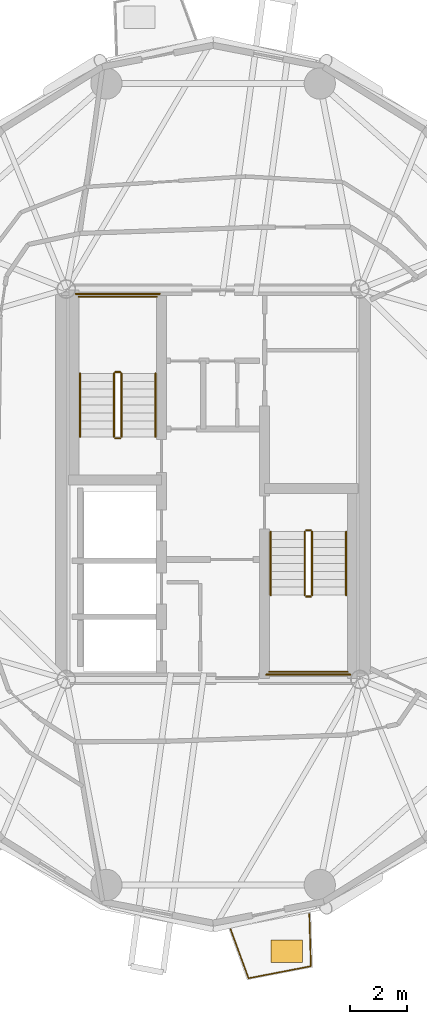
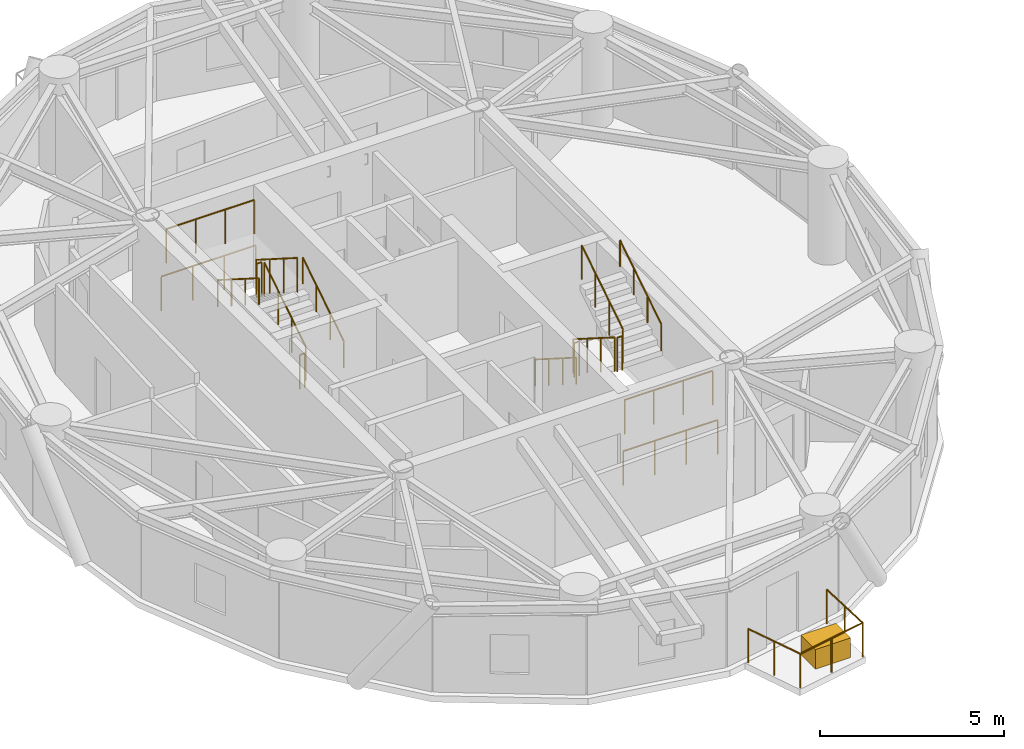
# One storey, part 15 of 17: 17 railings, 1 covering.
"""IFC4 building model written with IfcOpenShell, lengths in metres."""

from ifc_helpers import new_model, si_unit, direction, frame, origin, origin_2d, place, context, subcontext, project, spatial, rectangle, circle, extrude, source, transform, mapped, material, layer, layer_set, type_object, element, save


model = new_model("IFC4")

# Units and contexts
model_context = context("Model", 3, precision=1e-05, world=origin(), true_north=direction((0.0, 1.0)))
body_context = subcontext(model_context, "Body", "Model", "MODEL_VIEW")
ifc_project = project(units=[si_unit("LENGTHUNIT", "METRE"), si_unit("AREAUNIT", "SQUARE_METRE"), si_unit("VOLUMEUNIT", "CUBIC_METRE"), si_unit("PLANEANGLEUNIT", "RADIAN"), si_unit("MASSUNIT", "GRAM", prefix="KILO")], contexts=[model_context])

# Site, building, storey
site_placement = place(None, origin())
site = spatial("IfcSite", under=ifc_project, at=site_placement, CompositionType="ELEMENT")
building_placement = place(site_placement, origin())
building = spatial("IfcBuilding", under=site, at=building_placement, Name="Cununo Teusaquillo Station Towers", CompositionType="ELEMENT")
storey_placement = place(building_placement, frame((0.0, 0.0, 222.85009765625)))
storey = spatial("IfcBuildingStorey", under=building, at=storey_placement, Name="L71", CompositionType="ELEMENT", Elevation=222.85009765625)

# Railings
ifc_material_1 = material(Name="Anodised dark bronze aluminium EN AW-6063-T6", Category="aluminium")
railing_type_1 = type_object("IfcRailingType", Name="RL-EXT-GUARD", PredefinedType="GUARDRAIL", material=ifc_material_1)
railing_1_placement = place(storey_placement, frame((19.892578125, 9.356201171875, 0.0)))
element("IfcRailing", 1, at=railing_1_placement, inside=storey, type_object=railing_type_1, Name="L71 Tower A Balcony Guardrail C15", PredefinedType="GUARDRAIL", context=body_context, shape_type="SweptSolid", body=[
    extrude(circle(Radius=0.02392578125, at=origin_2d()), frame((0.0, 0.0, 1.1259765625), z_axis=(0.030305152758, -0.999540693377, 0.0), x_axis=(0.999540693377, 0.030305152758, 0.0)), (0.0, 0.0, 1.0), 1.8447265625),
    extrude(circle(Radius=0.02392578125, at=origin_2d()), frame((0.055908203125, -1.843994140625, 1.1259765625), z_axis=(-0.981834932982, -0.18973709278, 0.0), x_axis=(0.18973709278, -0.981834932982, 0.0)), (0.0, 0.0, 1.0), 2.239013671875),
    extrude(circle(Radius=0.02392578125, at=origin_2d()), frame((-2.142333984375, -2.268798828125, 1.1259765625), z_axis=(-0.344196323776, 0.938897699805, 0.0), x_axis=(-0.938897699805, -0.344196323776, 0.0)), (0.0, 0.0, 1.0), 1.844970703125),
    extrude(circle(Radius=0.02099609375, at=origin_2d()), origin(), (0.0, 0.0, 1.0), 1.101806640625),
    extrude(circle(Radius=0.02099609375, at=origin_2d()), frame((0.02783203125, -0.921875, 0.0)), (0.0, 0.0, 1.0), 1.101806640625),
    extrude(circle(Radius=0.02099609375, at=origin_2d()), frame((0.055908203125, -1.843994140625, 0.0)), (0.0, 0.0, 1.0), 1.101806640625),
    extrude(circle(Radius=0.02099609375, at=origin_2d()), frame((-1.043212890625, -2.056396484375, 0.0)), (0.0, 0.0, 1.0), 1.101806640625),
    extrude(circle(Radius=0.02099609375, at=origin_2d()), frame((-2.142333984375, -2.268798828125, 0.0)), (0.0, 0.0, 1.0), 1.101806640625),
    extrude(circle(Radius=0.02099609375, at=origin_2d()), frame((-2.4599609375, -1.40283203125, 0.0)), (0.0, 0.0, 1.0), 1.101806640625),
    extrude(circle(Radius=0.02099609375, at=origin_2d()), frame((-2.77734375, -0.53662109375, 0.0)), (0.0, 0.0, 1.0), 1.101806640625),
])
ifc_material_2 = material(Name="Steel EN 10025-2 S355J2", Category="steel")
railing_type_2 = type_object("IfcRailingType", Name="RL-INT-GUARD", PredefinedType="GUARDRAIL", material=ifc_material_2)
railing_2_placement = place(storey_placement, frame((13.27001953125, 26.169921875, 0.177734375)))
element("IfcRailing", 2, at=railing_2_placement, inside=storey, type_object=railing_type_2, Name="L71 ST-T1-1 stair guard 1", PredefinedType="GUARDRAIL", context=body_context, shape_type="SweptSolid", body=[
    extrude(circle(Radius=0.02392578125, at=origin_2d()), frame((0.0, 0.0, 1.1259765625), z_axis=(0.0, 0.8442293374, 0.53598211339), x_axis=(-1.0, 0.0, 0.0)), (0.0, 0.0, 1.0), 2.6533203125),
    extrude(circle(Radius=0.02099609375, at=origin_2d()), origin(), (0.0, 0.0, 1.0), 1.101806640625),
    extrude(circle(Radius=0.02099609375, at=origin_2d()), frame((0.0, 0.74658203125, 0.47412109375)), (0.0, 0.0, 1.0), 1.101806640625),
    extrude(circle(Radius=0.02099609375, at=origin_2d()), frame((0.0, 1.493408203125, 0.947998046875)), (0.0, 0.0, 1.0), 1.101806640625),
    extrude(circle(Radius=0.02099609375, at=origin_2d()), frame((0.0, 2.239990234375, 1.422119140625)), (0.0, 0.0, 1.0), 1.101806640625),
])
railing_3_placement = place(storey_placement, frame((13.219970703125, 28.4599609375, 1.599853515625)))
element("IfcRailing", 3, at=railing_3_placement, inside=storey, type_object=railing_type_2, Name="L71 ST-T1-1 stair guard 2", PredefinedType="GUARDRAIL", context=body_context, shape_type="SweptSolid", body=[
    extrude(circle(Radius=0.02392578125, at=origin_2d()), frame((0.0, 0.0, 1.1259765625), z_axis=(-1.0, 0.0, 0.0), x_axis=(0.0, -1.0, 0.0)), (0.0, 0.0, 1.0), 0.159912109375),
    extrude(circle(Radius=0.02099609375, at=origin_2d()), origin(), (0.0, 0.0, 1.0), 1.101806640625),
    extrude(circle(Radius=0.02099609375, at=origin_2d()), frame((-0.159912109375, 0.0, 0.0)), (0.0, 0.0, 1.0), 1.101806640625),
])
railing_4_placement = place(storey_placement, frame((14.52001953125, 31.110107421875, 1.599853515625)))
element("IfcRailing", 4, at=railing_4_placement, inside=storey, type_object=railing_type_2, Name="L71 ST-T1-1 stair guard 3", PredefinedType="GUARDRAIL", context=body_context, shape_type="SweptSolid", body=[
    extrude(circle(Radius=0.02392578125, at=origin_2d()), frame((0.0, 0.0, 1.1259765625), z_axis=(-1.0, 0.0, 0.0), x_axis=(0.0, -1.0, 0.0)), (0.0, 0.0, 1.0), 2.760009765625),
    extrude(circle(Radius=0.02099609375, at=origin_2d()), origin(), (0.0, 0.0, 1.0), 1.101806640625),
    extrude(circle(Radius=0.02099609375, at=origin_2d()), frame((-0.919921875, 0.0, 0.0)), (0.0, 0.0, 1.0), 1.101806640625),
    extrude(circle(Radius=0.02099609375, at=origin_2d()), frame((-1.840087890625, 0.0, 0.0)), (0.0, 0.0, 1.0), 1.101806640625),
    extrude(circle(Radius=0.02099609375, at=origin_2d()), frame((-2.760009765625, 0.0, 0.0)), (0.0, 0.0, 1.0), 1.101806640625),
])
railing_5_placement = place(storey_placement, frame((13.010009765625, 28.409912109375, 1.777587890625)))
element("IfcRailing", 5, at=railing_5_placement, inside=storey, type_object=railing_type_2, Name="L71 ST-T1-1 stair guard 4", PredefinedType="GUARDRAIL", context=body_context, shape_type="SweptSolid", body=[
    extrude(circle(Radius=0.02392578125, at=origin_2d()), frame((0.0, 0.0, 1.1259765625), z_axis=(0.0, -0.84418770128, 0.536047689118), x_axis=(1.0, 0.0, 0.0)), (0.0, 0.0, 1.0), 2.6533203125),
    extrude(circle(Radius=0.02099609375, at=origin_2d()), origin(), (0.0, 0.0, 1.0), 1.101806640625),
    extrude(circle(Radius=0.02099609375, at=origin_2d()), frame((0.0, -0.74658203125, 0.47412109375)), (0.0, 0.0, 1.0), 1.101806640625),
    extrude(circle(Radius=0.02099609375, at=origin_2d()), frame((0.0, -1.493408203125, 0.9482421875)), (0.0, 0.0, 1.0), 1.101806640625),
    extrude(circle(Radius=0.02099609375, at=origin_2d()), frame((0.0, -2.239990234375, 1.42236328125)), (0.0, 0.0, 1.0), 1.101806640625),
])
railing_6_placement = place(storey_placement, frame((13.219970703125, 26.1201171875, 0.0)))
element("IfcRailing", 6, at=railing_6_placement, inside=storey, type_object=railing_type_2, Name="L71 ST-T1-1 stair guard 5", PredefinedType="GUARDRAIL", context=body_context, shape_type="SweptSolid", body=[
    extrude(circle(Radius=0.02392578125, at=origin_2d()), frame((0.0, 0.0, 1.1259765625), z_axis=(-1.0, 0.0, 0.0), x_axis=(0.0, -1.0, 0.0)), (0.0, 0.0, 1.0), 0.159912109375),
    extrude(circle(Radius=0.02099609375, at=origin_2d()), origin(), (0.0, 0.0, 1.0), 1.101806640625),
    extrude(circle(Radius=0.02099609375, at=origin_2d()), frame((-0.159912109375, 0.0, 0.0)), (0.0, 0.0, 1.0), 1.101806640625),
])
railing_7_placement = place(storey_placement, frame((14.6201171875, 31.2099609375, 0.0)))
element("IfcRailing", 7, at=railing_7_placement, inside=storey, type_object=railing_type_2, Name="L71 ST-T1-1 stair guard 6", PredefinedType="GUARDRAIL", context=body_context, shape_type="SweptSolid", body=[
    extrude(circle(Radius=0.02392578125, at=origin_2d()), frame((0.0, 0.0, 1.1259765625), z_axis=(-1.0, 0.0, 0.0), x_axis=(0.0, -1.0, 0.0)), (0.0, 0.0, 1.0), 2.960205078125),
    extrude(circle(Radius=0.02099609375, at=origin_2d()), origin(), (0.0, 0.0, 1.0), 1.101806640625),
    extrude(circle(Radius=0.02099609375, at=origin_2d()), frame((-0.98681640625, 0.0, 0.0)), (0.0, 0.0, 1.0), 1.101806640625),
    extrude(circle(Radius=0.02099609375, at=origin_2d()), frame((-1.973388671875, 0.0, 0.0)), (0.0, 0.0, 1.0), 1.101806640625),
    extrude(circle(Radius=0.02099609375, at=origin_2d()), frame((-2.960205078125, 0.0, 0.0)), (0.0, 0.0, 1.0), 1.101806640625),
])
railing_8_placement = place(storey_placement, frame((19.72998046875, 22.830078125, 0.177734375)))
element("IfcRailing", 8, at=railing_8_placement, inside=storey, type_object=railing_type_2, Name="L71 ST-T1-2 stair guard 1", PredefinedType="GUARDRAIL", context=body_context, shape_type="SweptSolid", body=[
    extrude(circle(Radius=0.02392578125, at=origin_2d()), frame((0.0, 0.0, 1.1259765625), z_axis=(0.0, -0.8442293374, 0.53598211339), x_axis=(1.0, 0.0, 0.0)), (0.0, 0.0, 1.0), 2.6533203125),
    extrude(circle(Radius=0.02099609375, at=origin_2d()), origin(), (0.0, 0.0, 1.0), 1.101806640625),
    extrude(circle(Radius=0.02099609375, at=origin_2d()), frame((0.0, -0.74658203125, 0.47412109375)), (0.0, 0.0, 1.0), 1.101806640625),
    extrude(circle(Radius=0.02099609375, at=origin_2d()), frame((0.0, -1.493408203125, 0.947998046875)), (0.0, 0.0, 1.0), 1.101806640625),
    extrude(circle(Radius=0.02099609375, at=origin_2d()), frame((0.0, -2.239990234375, 1.422119140625)), (0.0, 0.0, 1.0), 1.101806640625),
])
railing_9_placement = place(storey_placement, frame((19.780029296875, 20.5400390625, 1.599853515625)))
element("IfcRailing", 9, at=railing_9_placement, inside=storey, type_object=railing_type_2, Name="L71 ST-T1-2 stair guard 2", PredefinedType="GUARDRAIL", context=body_context, shape_type="SweptSolid", body=[
    extrude(circle(Radius=0.02392578125, at=origin_2d()), frame((0.0, 0.0, 1.1259765625), z_axis=(1.0, 0.0, 0.0), x_axis=(0.0, 1.0, 0.0)), (0.0, 0.0, 1.0), 0.159912109375),
    extrude(circle(Radius=0.02099609375, at=origin_2d()), origin(), (0.0, 0.0, 1.0), 1.101806640625),
    extrude(circle(Radius=0.02099609375, at=origin_2d()), frame((0.159912109375, 0.0, 0.0)), (0.0, 0.0, 1.0), 1.101806640625),
])
railing_10_placement = place(storey_placement, frame((18.47998046875, 17.889892578125, 1.599853515625)))
element("IfcRailing", 10, at=railing_10_placement, inside=storey, type_object=railing_type_2, Name="L71 ST-T1-2 stair guard 3", PredefinedType="GUARDRAIL", context=body_context, shape_type="SweptSolid", body=[
    extrude(circle(Radius=0.02392578125, at=origin_2d()), frame((0.0, 0.0, 1.1259765625), z_axis=(1.0, 0.0, 0.0), x_axis=(0.0, 1.0, 0.0)), (0.0, 0.0, 1.0), 2.760009765625),
    extrude(circle(Radius=0.02099609375, at=origin_2d()), origin(), (0.0, 0.0, 1.0), 1.101806640625),
    extrude(circle(Radius=0.02099609375, at=origin_2d()), frame((0.919921875, 0.0, 0.0)), (0.0, 0.0, 1.0), 1.101806640625),
    extrude(circle(Radius=0.02099609375, at=origin_2d()), frame((1.840087890625, 0.0, 0.0)), (0.0, 0.0, 1.0), 1.101806640625),
    extrude(circle(Radius=0.02099609375, at=origin_2d()), frame((2.760009765625, 0.0, 0.0)), (0.0, 0.0, 1.0), 1.101806640625),
])
railing_11_placement = place(storey_placement, frame((19.989990234375, 20.590087890625, 1.777587890625)))
element("IfcRailing", 11, at=railing_11_placement, inside=storey, type_object=railing_type_2, Name="L71 ST-T1-2 stair guard 4", PredefinedType="GUARDRAIL", context=body_context, shape_type="SweptSolid", body=[
    extrude(circle(Radius=0.02392578125, at=origin_2d()), frame((0.0, 0.0, 1.1259765625), z_axis=(0.0, 0.84418770128, 0.536047689118), x_axis=(-1.0, 0.0, 0.0)), (0.0, 0.0, 1.0), 2.6533203125),
    extrude(circle(Radius=0.02099609375, at=origin_2d()), origin(), (0.0, 0.0, 1.0), 1.101806640625),
    extrude(circle(Radius=0.02099609375, at=origin_2d()), frame((0.0, 0.74658203125, 0.47412109375)), (0.0, 0.0, 1.0), 1.101806640625),
    extrude(circle(Radius=0.02099609375, at=origin_2d()), frame((0.0, 1.493408203125, 0.9482421875)), (0.0, 0.0, 1.0), 1.101806640625),
    extrude(circle(Radius=0.02099609375, at=origin_2d()), frame((0.0, 2.239990234375, 1.42236328125)), (0.0, 0.0, 1.0), 1.101806640625),
])
railing_12_placement = place(storey_placement, frame((19.780029296875, 22.8798828125, 0.0)))
element("IfcRailing", 12, at=railing_12_placement, inside=storey, type_object=railing_type_2, Name="L71 ST-T1-2 stair guard 5", PredefinedType="GUARDRAIL", context=body_context, shape_type="SweptSolid", body=[
    extrude(circle(Radius=0.02392578125, at=origin_2d()), frame((0.0, 0.0, 1.1259765625), z_axis=(1.0, 0.0, 0.0), x_axis=(0.0, 1.0, 0.0)), (0.0, 0.0, 1.0), 0.159912109375),
    extrude(circle(Radius=0.02099609375, at=origin_2d()), origin(), (0.0, 0.0, 1.0), 1.101806640625),
    extrude(circle(Radius=0.02099609375, at=origin_2d()), frame((0.159912109375, 0.0, 0.0)), (0.0, 0.0, 1.0), 1.101806640625),
])
railing_13_placement = place(storey_placement, frame((18.3798828125, 17.7900390625, 0.0)))
element("IfcRailing", 13, at=railing_13_placement, inside=storey, type_object=railing_type_2, Name="L71 ST-T1-2 stair guard 6", PredefinedType="GUARDRAIL", context=body_context, shape_type="SweptSolid", body=[
    extrude(circle(Radius=0.02392578125, at=origin_2d()), frame((0.0, 0.0, 1.1259765625), z_axis=(1.0, 0.0, 0.0), x_axis=(0.0, 1.0, 0.0)), (0.0, 0.0, 1.0), 2.960205078125),
    extrude(circle(Radius=0.02099609375, at=origin_2d()), origin(), (0.0, 0.0, 1.0), 1.101806640625),
    extrude(circle(Radius=0.02099609375, at=origin_2d()), frame((0.98681640625, 0.0, 0.0)), (0.0, 0.0, 1.0), 1.101806640625),
    extrude(circle(Radius=0.02099609375, at=origin_2d()), frame((1.973388671875, 0.0, 0.0)), (0.0, 0.0, 1.0), 1.101806640625),
    extrude(circle(Radius=0.02099609375, at=origin_2d()), frame((2.960205078125, 0.0, 0.0)), (0.0, 0.0, 1.0), 1.101806640625),
])
ifc_material_3 = material(Name="Steel EN 10025-2 S355J2", Category="steel")
railing_type_3 = type_object("IfcRailingType", Name="RL-INT-HRAIL", PredefinedType="HANDRAIL", material=ifc_material_3)
railing_14_placement = place(storey_placement, frame((14.469970703125, 26.169921875, 0.177734375)))
element("IfcRailing", 14, at=railing_14_placement, inside=storey, type_object=railing_type_3, Name="L71 ST-T1-1 stair handrail 1", PredefinedType="HANDRAIL", context=body_context, shape_type="SweptSolid", body=[
    extrude(circle(Radius=0.02392578125, at=origin_2d()), frame((0.0, 0.0, 0.8759765625), z_axis=(0.0, 0.8442293374, 0.53598211339), x_axis=(-1.0, 0.0, 0.0)), (0.0, 0.0, 1.0), 2.6533203125),
    extrude(circle(Radius=0.02099609375, at=origin_2d()), origin(), (0.0, 0.0, 1.0), 0.851806640625),
    extrude(circle(Radius=0.02099609375, at=origin_2d()), frame((0.0, 0.74658203125, 0.47412109375)), (0.0, 0.0, 1.0), 0.851806640625),
    extrude(circle(Radius=0.02099609375, at=origin_2d()), frame((0.0, 1.493408203125, 0.947998046875)), (0.0, 0.0, 1.0), 0.851806640625),
    extrude(circle(Radius=0.02099609375, at=origin_2d()), frame((0.0, 2.239990234375, 1.422119140625)), (0.0, 0.0, 1.0), 0.851806640625),
])
railing_15_placement = place(storey_placement, frame((11.81005859375, 28.409912109375, 1.777587890625)))
element("IfcRailing", 15, at=railing_15_placement, inside=storey, type_object=railing_type_3, Name="L71 ST-T1-1 stair handrail 2", PredefinedType="HANDRAIL", context=body_context, shape_type="SweptSolid", body=[
    extrude(circle(Radius=0.02392578125, at=origin_2d()), frame((0.0, 0.0, 0.8759765625), z_axis=(0.0, -0.84418770128, 0.536047689118), x_axis=(1.0, 0.0, 0.0)), (0.0, 0.0, 1.0), 2.6533203125),
    extrude(circle(Radius=0.02099609375, at=origin_2d()), origin(), (0.0, 0.0, 1.0), 0.851806640625),
    extrude(circle(Radius=0.02099609375, at=origin_2d()), frame((0.0, -0.74658203125, 0.47412109375)), (0.0, 0.0, 1.0), 0.851806640625),
    extrude(circle(Radius=0.02099609375, at=origin_2d()), frame((0.0, -1.493408203125, 0.9482421875)), (0.0, 0.0, 1.0), 0.851806640625),
    extrude(circle(Radius=0.02099609375, at=origin_2d()), frame((0.0, -2.239990234375, 1.42236328125)), (0.0, 0.0, 1.0), 0.851806640625),
])
railing_16_placement = place(storey_placement, frame((18.530029296875, 22.830078125, 0.177734375)))
element("IfcRailing", 16, at=railing_16_placement, inside=storey, type_object=railing_type_3, Name="L71 ST-T1-2 stair handrail 1", PredefinedType="HANDRAIL", context=body_context, shape_type="SweptSolid", body=[
    extrude(circle(Radius=0.02392578125, at=origin_2d()), frame((0.0, 0.0, 0.8759765625), z_axis=(0.0, -0.8442293374, 0.53598211339), x_axis=(1.0, 0.0, 0.0)), (0.0, 0.0, 1.0), 2.6533203125),
    extrude(circle(Radius=0.02099609375, at=origin_2d()), origin(), (0.0, 0.0, 1.0), 0.851806640625),
    extrude(circle(Radius=0.02099609375, at=origin_2d()), frame((0.0, -0.74658203125, 0.47412109375)), (0.0, 0.0, 1.0), 0.851806640625),
    extrude(circle(Radius=0.02099609375, at=origin_2d()), frame((0.0, -1.493408203125, 0.947998046875)), (0.0, 0.0, 1.0), 0.851806640625),
    extrude(circle(Radius=0.02099609375, at=origin_2d()), frame((0.0, -2.239990234375, 1.422119140625)), (0.0, 0.0, 1.0), 0.851806640625),
])
railing_17_placement = place(storey_placement, frame((21.18994140625, 20.590087890625, 1.777587890625)))
element("IfcRailing", 17, at=railing_17_placement, inside=storey, type_object=railing_type_3, Name="L71 ST-T1-2 stair handrail 2", PredefinedType="HANDRAIL", context=body_context, shape_type="SweptSolid", body=[
    extrude(circle(Radius=0.02392578125, at=origin_2d()), frame((0.0, 0.0, 0.8759765625), z_axis=(0.0, 0.84418770128, 0.536047689118), x_axis=(-1.0, 0.0, 0.0)), (0.0, 0.0, 1.0), 2.6533203125),
    extrude(circle(Radius=0.02099609375, at=origin_2d()), origin(), (0.0, 0.0, 1.0), 0.851806640625),
    extrude(circle(Radius=0.02099609375, at=origin_2d()), frame((0.0, 0.74658203125, 0.47412109375)), (0.0, 0.0, 1.0), 0.851806640625),
    extrude(circle(Radius=0.02099609375, at=origin_2d()), frame((0.0, 1.493408203125, 0.9482421875)), (0.0, 0.0, 1.0), 0.851806640625),
    extrude(circle(Radius=0.02099609375, at=origin_2d()), frame((0.0, 2.239990234375, 1.42236328125)), (0.0, 0.0, 1.0), 0.851806640625),
])

# Covering
ifc_material_4 = material(Name="Architectural GRC planter shell and engineered root-zone substrate", Category="concrete")
ifc_layer = layer(ifc_material_4, 0.64990234375)
ifc_layer_set = layer_set([ifc_layer], Name="Architectural GRC planter shell and engineered root-zone substrate")
covering_type = type_object("IfcCoveringType", Name="COV-TREE-PLANTER", PredefinedType="CLADDING", material=ifc_layer_set)
shared_shape = source(origin(), body_context, "Body", "SweptSolid", [
    extrude(rectangle(XDim=1.10009765625, YDim=0.800048828125, at=origin_2d()), origin(), (0.0, 0.0, 1.0), 0.64990234375),
])
covering_placement = place(storey_placement, frame((19.097900390625, 8.04345703125, 0.0), z_axis=(0.0, 0.0, 1.0), x_axis=(1.0, 0.0, 0.0)))
element("IfcCovering", 18, at=covering_placement, inside=storey, type_object=covering_type, Name="L71 Tower A Balcony Tree PLANTER C15", PredefinedType="CLADDING", context=body_context, shape_type="MappedRepresentation", body=[
    mapped(shared_shape, transform((0.0, 0.0, 0.0), x_axis=(1.0, 0.0, 0.0), y_axis=(0.0, 1.0, 0.0), z_axis=(0.0, 0.0, 1.0), scale=1.0)),
])

save(model, "model.ifc")
